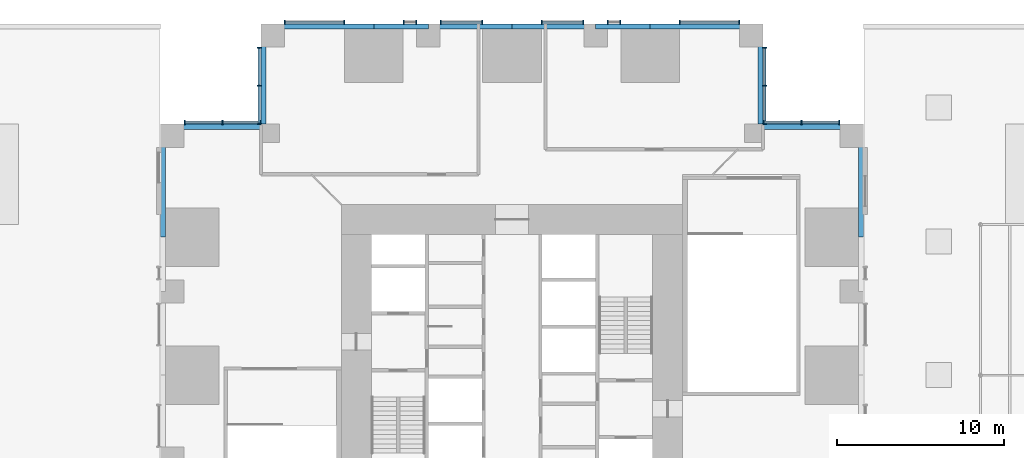
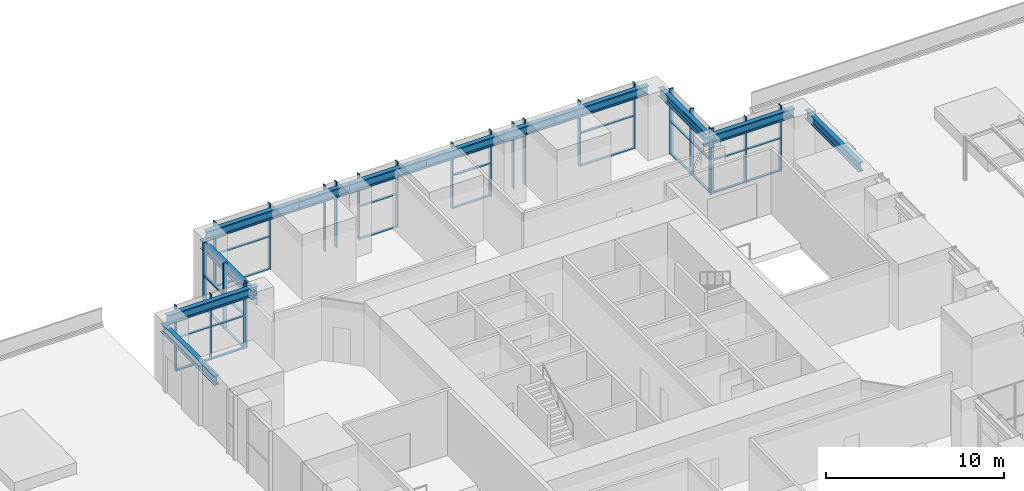
# One storey, part 5 of 14: 48 members, 12 beams, 10 elements without a shape of their own.
"""IFC4 building model written with IfcOpenShell, lengths in metres."""

from ifc_helpers import new_model, si_unit, direction, frame, origin, origin_2d, place, context, subcontext, project, spatial, rectangle, i_section, extrude, material, material_profile, profile_set, type_object, element, aggregate, save


model = new_model("IFC4")

# Units and contexts
model_context = context("Model", 3, precision=1e-05, world=origin(), true_north=direction((0.0, 1.0)))
body_context = subcontext(model_context, "Body", "Model", "MODEL_VIEW")
ifc_project = project(units=[si_unit("LENGTHUNIT", "METRE"), si_unit("AREAUNIT", "SQUARE_METRE"), si_unit("VOLUMEUNIT", "CUBIC_METRE"), si_unit("PLANEANGLEUNIT", "RADIAN"), si_unit("MASSUNIT", "GRAM", prefix="KILO")], contexts=[model_context])

# Site, building, storey
site_placement = place(None, origin())
site = spatial("IfcSite", under=ifc_project, at=site_placement, CompositionType="ELEMENT")
building_placement = place(site_placement, origin())
building = spatial("IfcBuilding", under=site, at=building_placement, Name="Svetlomir Tower", CompositionType="ELEMENT")
storey_placement = place(building_placement, frame((0.0, 0.0, 18.0)))
storey = spatial("IfcBuildingStorey", under=building, at=storey_placement, Name="L03", CompositionType="ELEMENT", Elevation=18.0)

# Curtain wall, members
ifc_material_1 = material(Name="Bronze anodised aluminium curtain wall", Category="aluminium")
curtain_wall_type = type_object("IfcCurtainWallType", Name="CURTAIN WALL CW2 SKY LOBBY", PredefinedType="NOTDEFINED", material=ifc_material_1)
curtain_wall_1_placement = place(storey_placement, origin())
curtain_wall_1 = element("IfcCurtainWall", 1, at=curtain_wall_1_placement, inside=storey, type_object=curtain_wall_type, Name="Curtain wall CW2 L03", PredefinedType="NOTDEFINED")
ifc_material_2 = material(Name="Bronze anodised aluminium", Category="aluminium")
ifc_material_profile_1 = material_profile(ifc_material_2, rectangle(XDim=0.06494140625, YDim=0.25, at=origin_2d()), Name="AL 65x250")
ifc_profile_set_1 = profile_set([ifc_material_profile_1], Name="Bronze anodised aluminium 6063-T6")
member_type_1 = type_object("IfcMemberType", Name="CW2 MULLION 65x250", PredefinedType="MULLION", material=ifc_profile_set_1)
member_1_placement = place(storey_placement, frame((40.5673828125, 36.10009765625, 0.0), z_axis=(0.0, 0.0, 1.0), x_axis=(-1.0, 0.0, 0.0)))
member_1 = element("IfcMember", 2, at=member_1_placement, type_object=member_type_1, Name="CW2 mullion 1", PredefinedType="MULLION", context=body_context, shape_type="SweptSolid", body=[
    extrude(rectangle(XDim=0.06494140625, YDim=0.25, at=origin_2d()), origin(), (0.0, 0.0, 1.0), 4.5),
])
member_2_placement = place(storey_placement, frame((38.300048828125, 36.10009765625, 0.0), z_axis=(0.0, 0.0, 1.0), x_axis=(-1.0, 0.0, 0.0)))
member_2 = element("IfcMember", 3, at=member_2_placement, type_object=member_type_1, Name="CW2 mullion 2", PredefinedType="MULLION", context=body_context, shape_type="SweptSolid", body=[
    extrude(rectangle(XDim=0.06494140625, YDim=0.25, at=origin_2d()), origin(), (0.0, 0.0, 1.0), 4.5),
])
member_3_placement = place(storey_placement, frame((36.032470703125, 36.10009765625, 0.0), z_axis=(0.0, 0.0, 1.0), x_axis=(-1.0, 0.0, 0.0)))
member_3 = element("IfcMember", 4, at=member_3_placement, type_object=member_type_1, Name="CW2 mullion 3", PredefinedType="MULLION", context=body_context, shape_type="SweptSolid", body=[
    extrude(rectangle(XDim=0.06494140625, YDim=0.25, at=origin_2d()), origin(), (0.0, 0.0, 1.0), 4.5),
])

curtain_wall_2_placement = place(storey_placement, origin())
curtain_wall_2 = element("IfcCurtainWall", 5, at=curtain_wall_2_placement, inside=storey, type_object=curtain_wall_type, Name="Curtain wall CW2 L03", PredefinedType="NOTDEFINED")
member_4_placement = place(storey_placement, frame((36.10009765625, 36.032470703125, 0.0), z_axis=(0.0, 0.0, 1.0), x_axis=(0.0, 1.0, 0.0)))
member_4 = element("IfcMember", 6, at=member_4_placement, type_object=member_type_1, Name="CW2 mullion 1", PredefinedType="MULLION", context=body_context, shape_type="SweptSolid", body=[
    extrude(rectangle(XDim=0.06494140625, YDim=0.25, at=origin_2d()), origin(), (0.0, 0.0, 1.0), 4.5),
])
member_5_placement = place(storey_placement, frame((36.10009765625, 38.300048828125, 0.0), z_axis=(0.0, 0.0, 1.0), x_axis=(0.0, 1.0, 0.0)))
member_5 = element("IfcMember", 7, at=member_5_placement, type_object=member_type_1, Name="CW2 mullion 2", PredefinedType="MULLION", context=body_context, shape_type="SweptSolid", body=[
    extrude(rectangle(XDim=0.06494140625, YDim=0.25, at=origin_2d()), origin(), (0.0, 0.0, 1.0), 4.5),
])
member_6_placement = place(storey_placement, frame((36.10009765625, 40.5673828125, 0.0), z_axis=(0.0, 0.0, 1.0), x_axis=(0.0, 1.0, 0.0)))
member_6 = element("IfcMember", 8, at=member_6_placement, type_object=member_type_1, Name="CW2 mullion 3", PredefinedType="MULLION", context=body_context, shape_type="SweptSolid", body=[
    extrude(rectangle(XDim=0.06494140625, YDim=0.25, at=origin_2d()), origin(), (0.0, 0.0, 1.0), 4.5),
])

curtain_wall_3_placement = place(storey_placement, origin())
curtain_wall_3 = element("IfcCurtainWall", 9, at=curtain_wall_3_placement, inside=storey, type_object=curtain_wall_type, Name="Curtain wall CW2 L03", PredefinedType="NOTDEFINED")
member_7_placement = place(storey_placement, frame((34.5673828125, 42.10009765625, 0.0), z_axis=(0.0, 0.0, 1.0), x_axis=(-1.0, 0.0, 0.0)))
member_7 = element("IfcMember", 10, at=member_7_placement, type_object=member_type_1, Name="CW2 mullion 1", PredefinedType="MULLION", context=body_context, shape_type="SweptSolid", body=[
    extrude(rectangle(XDim=0.06494140625, YDim=0.25, at=origin_2d()), origin(), (0.0, 0.0, 1.0), 4.5),
])
member_8_placement = place(storey_placement, frame((31.032470703125, 42.10009765625, 0.0), z_axis=(0.0, 0.0, 1.0), x_axis=(-1.0, 0.0, 0.0)))
member_8 = element("IfcMember", 11, at=member_8_placement, type_object=member_type_1, Name="CW2 mullion 2", PredefinedType="MULLION", context=body_context, shape_type="SweptSolid", body=[
    extrude(rectangle(XDim=0.06494140625, YDim=0.25, at=origin_2d()), origin(), (0.0, 0.0, 1.0), 4.5),
])

curtain_wall_4_placement = place(storey_placement, origin())
curtain_wall_4 = element("IfcCurtainWall", 12, at=curtain_wall_4_placement, inside=storey, type_object=curtain_wall_type, Name="Curtain wall CW2 L03", PredefinedType="NOTDEFINED")
member_9_placement = place(storey_placement, frame((27.467529296875, 42.10009765625, 0.0), z_axis=(0.0, 0.0, 1.0), x_axis=(-1.0, 0.0, 0.0)))
member_9 = element("IfcMember", 13, at=member_9_placement, type_object=member_type_1, Name="CW2 mullion 1", PredefinedType="MULLION", context=body_context, shape_type="SweptSolid", body=[
    extrude(rectangle(XDim=0.06494140625, YDim=0.25, at=origin_2d()), origin(), (0.0, 0.0, 1.0), 4.5),
])
member_10_placement = place(storey_placement, frame((26.732421875, 42.10009765625, 0.0), z_axis=(0.0, 0.0, 1.0), x_axis=(-1.0, 0.0, 0.0)))
member_10 = element("IfcMember", 14, at=member_10_placement, type_object=member_type_1, Name="CW2 mullion 2", PredefinedType="MULLION", context=body_context, shape_type="SweptSolid", body=[
    extrude(rectangle(XDim=0.06494140625, YDim=0.25, at=origin_2d()), origin(), (0.0, 0.0, 1.0), 4.5),
])
aggregate(curtain_wall_4, [member_9, member_10])

curtain_wall_5_placement = place(storey_placement, origin())
curtain_wall_5 = element("IfcCurtainWall", 15, at=curtain_wall_5_placement, inside=storey, type_object=curtain_wall_type, Name="Curtain wall CW2 L03", PredefinedType="NOTDEFINED")
member_11_placement = place(storey_placement, frame((25.267578125, 42.10009765625, 0.0), z_axis=(0.0, 0.0, 1.0), x_axis=(-1.0, 0.0, 0.0)))
member_11 = element("IfcMember", 16, at=member_11_placement, type_object=member_type_1, Name="CW2 mullion 1", PredefinedType="MULLION", context=body_context, shape_type="SweptSolid", body=[
    extrude(rectangle(XDim=0.06494140625, YDim=0.25, at=origin_2d()), origin(), (0.0, 0.0, 1.0), 4.5),
])
member_12_placement = place(storey_placement, frame((22.782470703125, 42.10009765625, 0.0), z_axis=(0.0, 0.0, 1.0), x_axis=(-1.0, 0.0, 0.0)))
member_12 = element("IfcMember", 17, at=member_12_placement, type_object=member_type_1, Name="CW2 mullion 2", PredefinedType="MULLION", context=body_context, shape_type="SweptSolid", body=[
    extrude(rectangle(XDim=0.06494140625, YDim=0.25, at=origin_2d()), origin(), (0.0, 0.0, 1.0), 4.5),
])

curtain_wall_6_placement = place(storey_placement, origin())
curtain_wall_6 = element("IfcCurtainWall", 18, at=curtain_wall_6_placement, inside=storey, type_object=curtain_wall_type, Name="Curtain wall CW2 L03", PredefinedType="NOTDEFINED")
member_13_placement = place(storey_placement, frame((19.217529296875, 42.10009765625, 0.0), z_axis=(0.0, 0.0, 1.0), x_axis=(-1.0, 0.0, 0.0)))
member_13 = element("IfcMember", 19, at=member_13_placement, type_object=member_type_1, Name="CW2 mullion 1", PredefinedType="MULLION", context=body_context, shape_type="SweptSolid", body=[
    extrude(rectangle(XDim=0.06494140625, YDim=0.25, at=origin_2d()), origin(), (0.0, 0.0, 1.0), 4.5),
])
member_14_placement = place(storey_placement, frame((16.732421875, 42.10009765625, 0.0), z_axis=(0.0, 0.0, 1.0), x_axis=(-1.0, 0.0, 0.0)))
member_14 = element("IfcMember", 20, at=member_14_placement, type_object=member_type_1, Name="CW2 mullion 2", PredefinedType="MULLION", context=body_context, shape_type="SweptSolid", body=[
    extrude(rectangle(XDim=0.06494140625, YDim=0.25, at=origin_2d()), origin(), (0.0, 0.0, 1.0), 4.5),
])

curtain_wall_7_placement = place(storey_placement, origin())
curtain_wall_7 = element("IfcCurtainWall", 21, at=curtain_wall_7_placement, inside=storey, type_object=curtain_wall_type, Name="Curtain wall CW2 L03", PredefinedType="NOTDEFINED")
member_15_placement = place(storey_placement, frame((15.267578125, 42.10009765625, 0.0), z_axis=(0.0, 0.0, 1.0), x_axis=(-1.0, 0.0, 0.0)))
member_15 = element("IfcMember", 22, at=member_15_placement, type_object=member_type_1, Name="CW2 mullion 1", PredefinedType="MULLION", context=body_context, shape_type="SweptSolid", body=[
    extrude(rectangle(XDim=0.06494140625, YDim=0.25, at=origin_2d()), origin(), (0.0, 0.0, 1.0), 4.5),
])
member_16_placement = place(storey_placement, frame((14.532470703125, 42.10009765625, 0.0), z_axis=(0.0, 0.0, 1.0), x_axis=(-1.0, 0.0, 0.0)))
member_16 = element("IfcMember", 23, at=member_16_placement, type_object=member_type_1, Name="CW2 mullion 2", PredefinedType="MULLION", context=body_context, shape_type="SweptSolid", body=[
    extrude(rectangle(XDim=0.06494140625, YDim=0.25, at=origin_2d()), origin(), (0.0, 0.0, 1.0), 4.5),
])
aggregate(curtain_wall_7, [member_15, member_16])

curtain_wall_8_placement = place(storey_placement, origin())
curtain_wall_8 = element("IfcCurtainWall", 24, at=curtain_wall_8_placement, inside=storey, type_object=curtain_wall_type, Name="Curtain wall CW2 L03", PredefinedType="NOTDEFINED")
member_17_placement = place(storey_placement, frame((10.967529296875, 42.10009765625, 0.0), z_axis=(0.0, 0.0, 1.0), x_axis=(-1.0, 0.0, 0.0)))
member_17 = element("IfcMember", 25, at=member_17_placement, type_object=member_type_1, Name="CW2 mullion 1", PredefinedType="MULLION", context=body_context, shape_type="SweptSolid", body=[
    extrude(rectangle(XDim=0.06494140625, YDim=0.25, at=origin_2d()), origin(), (0.0, 0.0, 1.0), 4.5),
])
member_18_placement = place(storey_placement, frame((7.4326171875, 42.10009765625, 0.0), z_axis=(0.0, 0.0, 1.0), x_axis=(-1.0, 0.0, 0.0)))
member_18 = element("IfcMember", 26, at=member_18_placement, type_object=member_type_1, Name="CW2 mullion 2", PredefinedType="MULLION", context=body_context, shape_type="SweptSolid", body=[
    extrude(rectangle(XDim=0.06494140625, YDim=0.25, at=origin_2d()), origin(), (0.0, 0.0, 1.0), 4.5),
])

curtain_wall_9_placement = place(storey_placement, origin())
curtain_wall_9 = element("IfcCurtainWall", 27, at=curtain_wall_9_placement, inside=storey, type_object=curtain_wall_type, Name="Curtain wall CW2 L03", PredefinedType="NOTDEFINED")
member_19_placement = place(storey_placement, frame((5.89990234375, 40.5673828125, 0.0), z_axis=(0.0, 0.0, 1.0), x_axis=(0.0, -1.0, 0.0)))
member_19 = element("IfcMember", 28, at=member_19_placement, type_object=member_type_1, Name="CW2 mullion 1", PredefinedType="MULLION", context=body_context, shape_type="SweptSolid", body=[
    extrude(rectangle(XDim=0.06494140625, YDim=0.25, at=origin_2d()), origin(), (0.0, 0.0, 1.0), 4.5),
])
member_20_placement = place(storey_placement, frame((5.89990234375, 38.300048828125, 0.0), z_axis=(0.0, 0.0, 1.0), x_axis=(0.0, -1.0, 0.0)))
member_20 = element("IfcMember", 29, at=member_20_placement, type_object=member_type_1, Name="CW2 mullion 2", PredefinedType="MULLION", context=body_context, shape_type="SweptSolid", body=[
    extrude(rectangle(XDim=0.06494140625, YDim=0.25, at=origin_2d()), origin(), (0.0, 0.0, 1.0), 4.5),
])
member_21_placement = place(storey_placement, frame((5.89990234375, 36.032470703125, 0.0), z_axis=(0.0, 0.0, 1.0), x_axis=(0.0, -1.0, 0.0)))
member_21 = element("IfcMember", 30, at=member_21_placement, type_object=member_type_1, Name="CW2 mullion 3", PredefinedType="MULLION", context=body_context, shape_type="SweptSolid", body=[
    extrude(rectangle(XDim=0.06494140625, YDim=0.25, at=origin_2d()), origin(), (0.0, 0.0, 1.0), 4.5),
])

curtain_wall_10_placement = place(storey_placement, origin())
curtain_wall_10 = element("IfcCurtainWall", 31, at=curtain_wall_10_placement, inside=storey, type_object=curtain_wall_type, Name="Curtain wall CW2 L03", PredefinedType="NOTDEFINED")
member_22_placement = place(storey_placement, frame((5.967529296875, 36.10009765625, 0.0), z_axis=(0.0, 0.0, 1.0), x_axis=(-1.0, 0.0, 0.0)))
member_22 = element("IfcMember", 32, at=member_22_placement, type_object=member_type_1, Name="CW2 mullion 1", PredefinedType="MULLION", context=body_context, shape_type="SweptSolid", body=[
    extrude(rectangle(XDim=0.06494140625, YDim=0.25, at=origin_2d()), origin(), (0.0, 0.0, 1.0), 4.5),
])
member_23_placement = place(storey_placement, frame((3.699951171875, 36.10009765625, 0.0), z_axis=(0.0, 0.0, 1.0), x_axis=(-1.0, 0.0, 0.0)))
member_23 = element("IfcMember", 33, at=member_23_placement, type_object=member_type_1, Name="CW2 mullion 2", PredefinedType="MULLION", context=body_context, shape_type="SweptSolid", body=[
    extrude(rectangle(XDim=0.06494140625, YDim=0.25, at=origin_2d()), origin(), (0.0, 0.0, 1.0), 4.5),
])
member_24_placement = place(storey_placement, frame((1.4326171875, 36.10009765625, 0.0), z_axis=(0.0, 0.0, 1.0), x_axis=(-1.0, 0.0, 0.0)))
member_24 = element("IfcMember", 34, at=member_24_placement, type_object=member_type_1, Name="CW2 mullion 3", PredefinedType="MULLION", context=body_context, shape_type="SweptSolid", body=[
    extrude(rectangle(XDim=0.06494140625, YDim=0.25, at=origin_2d()), origin(), (0.0, 0.0, 1.0), 4.5),
])

# Member
ifc_material_3 = material(Name="Bronze anodised aluminium", Category="aluminium")
ifc_material_profile_2 = material_profile(ifc_material_3, rectangle(XDim=0.159912109375, YDim=0.06494140625, at=origin_2d()), Name="AL 160x65")
ifc_profile_set_2 = profile_set([ifc_material_profile_2], Name="Bronze anodised aluminium 6063-T6")
member_type_2 = type_object("IfcMemberType", Name="CW2 TRANSOM 65x160", PredefinedType="USERDEFINED", material=ifc_profile_set_2)
member_25_placement = place(storey_placement, frame((40.534912109375, 36.10009765625, 0.032470703125), z_axis=(-1.0, 0.0, 0.0), x_axis=(0.0, -1.0, 0.0)))
member_25 = element("IfcMember", 35, at=member_25_placement, type_object=member_type_2, Name="CW2 transom 1.1", ObjectType="TRANSOM", PredefinedType="USERDEFINED", context=body_context, shape_type="SweptSolid", body=[
    extrude(rectangle(XDim=0.159912109375, YDim=0.06494140625, at=origin_2d()), origin(), (0.0, 0.0, 1.0), 2.202392578125),
])

member_26_placement = place(storey_placement, frame((40.534912109375, 36.10009765625, 2.25), z_axis=(-1.0, 0.0, 0.0), x_axis=(0.0, -1.0, 0.0)))
member_26 = element("IfcMember", 36, at=member_26_placement, type_object=member_type_2, Name="CW2 transom 1.2", ObjectType="TRANSOM", PredefinedType="USERDEFINED", context=body_context, shape_type="SweptSolid", body=[
    extrude(rectangle(XDim=0.159912109375, YDim=0.06494140625, at=origin_2d()), origin(), (0.0, 0.0, 1.0), 2.202392578125),
])

member_27_placement = place(storey_placement, frame((38.267578125, 36.10009765625, 0.032470703125), z_axis=(-1.0, 0.0, 0.0), x_axis=(0.0, -1.0, 0.0)))
member_27 = element("IfcMember", 37, at=member_27_placement, type_object=member_type_2, Name="CW2 transom 2.1", ObjectType="TRANSOM", PredefinedType="USERDEFINED", context=body_context, shape_type="SweptSolid", body=[
    extrude(rectangle(XDim=0.159912109375, YDim=0.06494140625, at=origin_2d()), origin(), (0.0, 0.0, 1.0), 2.20263671875),
])

member_28_placement = place(storey_placement, frame((38.267578125, 36.10009765625, 2.25), z_axis=(-1.0, 0.0, 0.0), x_axis=(0.0, -1.0, 0.0)))
member_28 = element("IfcMember", 38, at=member_28_placement, type_object=member_type_2, Name="CW2 transom 2.2", ObjectType="TRANSOM", PredefinedType="USERDEFINED", context=body_context, shape_type="SweptSolid", body=[
    extrude(rectangle(XDim=0.159912109375, YDim=0.06494140625, at=origin_2d()), origin(), (0.0, 0.0, 1.0), 2.20263671875),
])

aggregate(curtain_wall_1, [member_1, member_2, member_3, member_25, member_26, member_27, member_28])

member_29_placement = place(storey_placement, frame((36.10009765625, 36.06494140625, 0.032470703125), z_axis=(0.0, 1.0, 0.0), x_axis=(-1.0, 0.0, 0.0)))
member_29 = element("IfcMember", 39, at=member_29_placement, type_object=member_type_2, Name="CW2 transom 1.1", ObjectType="TRANSOM", PredefinedType="USERDEFINED", context=body_context, shape_type="SweptSolid", body=[
    extrude(rectangle(XDim=0.159912109375, YDim=0.06494140625, at=origin_2d()), origin(), (0.0, 0.0, 1.0), 2.20263671875),
])

member_30_placement = place(storey_placement, frame((36.10009765625, 36.06494140625, 2.25), z_axis=(0.0, 1.0, 0.0), x_axis=(-1.0, 0.0, 0.0)))
member_30 = element("IfcMember", 40, at=member_30_placement, type_object=member_type_2, Name="CW2 transom 1.2", ObjectType="TRANSOM", PredefinedType="USERDEFINED", context=body_context, shape_type="SweptSolid", body=[
    extrude(rectangle(XDim=0.159912109375, YDim=0.06494140625, at=origin_2d()), origin(), (0.0, 0.0, 1.0), 2.20263671875),
])

member_31_placement = place(storey_placement, frame((36.10009765625, 38.33251953125, 0.032470703125), z_axis=(0.0, 1.0, 0.0), x_axis=(-1.0, 0.0, 0.0)))
member_31 = element("IfcMember", 41, at=member_31_placement, type_object=member_type_2, Name="CW2 transom 2.1", ObjectType="TRANSOM", PredefinedType="USERDEFINED", context=body_context, shape_type="SweptSolid", body=[
    extrude(rectangle(XDim=0.159912109375, YDim=0.06494140625, at=origin_2d()), origin(), (0.0, 0.0, 1.0), 2.202392578125),
])

member_32_placement = place(storey_placement, frame((36.10009765625, 38.33251953125, 2.25), z_axis=(0.0, 1.0, 0.0), x_axis=(-1.0, 0.0, 0.0)))
member_32 = element("IfcMember", 42, at=member_32_placement, type_object=member_type_2, Name="CW2 transom 2.2", ObjectType="TRANSOM", PredefinedType="USERDEFINED", context=body_context, shape_type="SweptSolid", body=[
    extrude(rectangle(XDim=0.159912109375, YDim=0.06494140625, at=origin_2d()), origin(), (0.0, 0.0, 1.0), 2.202392578125),
])

aggregate(curtain_wall_2, [member_4, member_5, member_6, member_29, member_30, member_31, member_32])

member_33_placement = place(storey_placement, frame((34.534912109375, 42.10009765625, 0.032470703125), z_axis=(-1.0, 0.0, 0.0), x_axis=(0.0, -1.0, 0.0)))
member_33 = element("IfcMember", 43, at=member_33_placement, type_object=member_type_2, Name="CW2 transom 1.1", ObjectType="TRANSOM", PredefinedType="USERDEFINED", context=body_context, shape_type="SweptSolid", body=[
    extrude(rectangle(XDim=0.159912109375, YDim=0.06494140625, at=origin_2d()), origin(), (0.0, 0.0, 1.0), 3.469970703125),
])

member_34_placement = place(storey_placement, frame((34.534912109375, 42.10009765625, 2.25), z_axis=(-1.0, 0.0, 0.0), x_axis=(0.0, -1.0, 0.0)))
member_34 = element("IfcMember", 44, at=member_34_placement, type_object=member_type_2, Name="CW2 transom 1.2", ObjectType="TRANSOM", PredefinedType="USERDEFINED", context=body_context, shape_type="SweptSolid", body=[
    extrude(rectangle(XDim=0.159912109375, YDim=0.06494140625, at=origin_2d()), origin(), (0.0, 0.0, 1.0), 3.469970703125),
])

aggregate(curtain_wall_3, [member_7, member_8, member_33, member_34])

member_35_placement = place(storey_placement, frame((25.235107421875, 42.10009765625, 0.032470703125), z_axis=(-1.0, 0.0, 0.0), x_axis=(0.0, -1.0, 0.0)))
member_35 = element("IfcMember", 45, at=member_35_placement, type_object=member_type_2, Name="CW2 transom 1.1", ObjectType="TRANSOM", PredefinedType="USERDEFINED", context=body_context, shape_type="SweptSolid", body=[
    extrude(rectangle(XDim=0.159912109375, YDim=0.06494140625, at=origin_2d()), origin(), (0.0, 0.0, 1.0), 2.420166015625),
])

member_36_placement = place(storey_placement, frame((25.235107421875, 42.10009765625, 2.25), z_axis=(-1.0, 0.0, 0.0), x_axis=(0.0, -1.0, 0.0)))
member_36 = element("IfcMember", 46, at=member_36_placement, type_object=member_type_2, Name="CW2 transom 1.2", ObjectType="TRANSOM", PredefinedType="USERDEFINED", context=body_context, shape_type="SweptSolid", body=[
    extrude(rectangle(XDim=0.159912109375, YDim=0.06494140625, at=origin_2d()), origin(), (0.0, 0.0, 1.0), 2.420166015625),
])

aggregate(curtain_wall_5, [member_11, member_12, member_35, member_36])

member_37_placement = place(storey_placement, frame((19.18505859375, 42.10009765625, 0.032470703125), z_axis=(-1.0, 0.0, 0.0), x_axis=(0.0, -1.0, 0.0)))
member_37 = element("IfcMember", 47, at=member_37_placement, type_object=member_type_2, Name="CW2 transom 1.1", ObjectType="TRANSOM", PredefinedType="USERDEFINED", context=body_context, shape_type="SweptSolid", body=[
    extrude(rectangle(XDim=0.159912109375, YDim=0.06494140625, at=origin_2d()), origin(), (0.0, 0.0, 1.0), 2.420166015625),
])

member_38_placement = place(storey_placement, frame((19.18505859375, 42.10009765625, 2.25), z_axis=(-1.0, 0.0, 0.0), x_axis=(0.0, -1.0, 0.0)))
member_38 = element("IfcMember", 48, at=member_38_placement, type_object=member_type_2, Name="CW2 transom 1.2", ObjectType="TRANSOM", PredefinedType="USERDEFINED", context=body_context, shape_type="SweptSolid", body=[
    extrude(rectangle(XDim=0.159912109375, YDim=0.06494140625, at=origin_2d()), origin(), (0.0, 0.0, 1.0), 2.420166015625),
])

aggregate(curtain_wall_6, [member_13, member_14, member_37, member_38])

member_39_placement = place(storey_placement, frame((10.93505859375, 42.10009765625, 0.032470703125), z_axis=(-1.0, 0.0, 0.0), x_axis=(0.0, -1.0, 0.0)))
member_39 = element("IfcMember", 49, at=member_39_placement, type_object=member_type_2, Name="CW2 transom 1.1", ObjectType="TRANSOM", PredefinedType="USERDEFINED", context=body_context, shape_type="SweptSolid", body=[
    extrude(rectangle(XDim=0.159912109375, YDim=0.06494140625, at=origin_2d()), origin(), (0.0, 0.0, 1.0), 3.469970703125),
])

member_40_placement = place(storey_placement, frame((10.93505859375, 42.10009765625, 2.25), z_axis=(-1.0, 0.0, 0.0), x_axis=(0.0, -1.0, 0.0)))
member_40 = element("IfcMember", 50, at=member_40_placement, type_object=member_type_2, Name="CW2 transom 1.2", ObjectType="TRANSOM", PredefinedType="USERDEFINED", context=body_context, shape_type="SweptSolid", body=[
    extrude(rectangle(XDim=0.159912109375, YDim=0.06494140625, at=origin_2d()), origin(), (0.0, 0.0, 1.0), 3.469970703125),
])

aggregate(curtain_wall_8, [member_17, member_18, member_39, member_40])

member_41_placement = place(storey_placement, frame((5.89990234375, 40.534912109375, 0.032470703125), z_axis=(0.0, -1.0, 0.0), x_axis=(1.0, 0.0, 0.0)))
member_41 = element("IfcMember", 51, at=member_41_placement, type_object=member_type_2, Name="CW2 transom 1.1", ObjectType="TRANSOM", PredefinedType="USERDEFINED", context=body_context, shape_type="SweptSolid", body=[
    extrude(rectangle(XDim=0.159912109375, YDim=0.06494140625, at=origin_2d()), origin(), (0.0, 0.0, 1.0), 2.202392578125),
])

member_42_placement = place(storey_placement, frame((5.89990234375, 40.534912109375, 2.25), z_axis=(0.0, -1.0, 0.0), x_axis=(1.0, 0.0, 0.0)))
member_42 = element("IfcMember", 52, at=member_42_placement, type_object=member_type_2, Name="CW2 transom 1.2", ObjectType="TRANSOM", PredefinedType="USERDEFINED", context=body_context, shape_type="SweptSolid", body=[
    extrude(rectangle(XDim=0.159912109375, YDim=0.06494140625, at=origin_2d()), origin(), (0.0, 0.0, 1.0), 2.202392578125),
])

member_43_placement = place(storey_placement, frame((5.89990234375, 38.267578125, 0.032470703125), z_axis=(0.0, -1.0, 0.0), x_axis=(1.0, 0.0, 0.0)))
member_43 = element("IfcMember", 53, at=member_43_placement, type_object=member_type_2, Name="CW2 transom 2.1", ObjectType="TRANSOM", PredefinedType="USERDEFINED", context=body_context, shape_type="SweptSolid", body=[
    extrude(rectangle(XDim=0.159912109375, YDim=0.06494140625, at=origin_2d()), origin(), (0.0, 0.0, 1.0), 2.20263671875),
])

member_44_placement = place(storey_placement, frame((5.89990234375, 38.267578125, 2.25), z_axis=(0.0, -1.0, 0.0), x_axis=(1.0, 0.0, 0.0)))
member_44 = element("IfcMember", 54, at=member_44_placement, type_object=member_type_2, Name="CW2 transom 2.2", ObjectType="TRANSOM", PredefinedType="USERDEFINED", context=body_context, shape_type="SweptSolid", body=[
    extrude(rectangle(XDim=0.159912109375, YDim=0.06494140625, at=origin_2d()), origin(), (0.0, 0.0, 1.0), 2.20263671875),
])

aggregate(curtain_wall_9, [member_19, member_20, member_21, member_41, member_42, member_43, member_44])

member_45_placement = place(storey_placement, frame((5.93505859375, 36.10009765625, 0.032470703125), z_axis=(-1.0, 0.0, 0.0), x_axis=(0.0, -1.0, 0.0)))
member_45 = element("IfcMember", 55, at=member_45_placement, type_object=member_type_2, Name="CW2 transom 1.1", ObjectType="TRANSOM", PredefinedType="USERDEFINED", context=body_context, shape_type="SweptSolid", body=[
    extrude(rectangle(XDim=0.159912109375, YDim=0.06494140625, at=origin_2d()), origin(), (0.0, 0.0, 1.0), 2.20263671875),
])

member_46_placement = place(storey_placement, frame((5.93505859375, 36.10009765625, 2.25), z_axis=(-1.0, 0.0, 0.0), x_axis=(0.0, -1.0, 0.0)))
member_46 = element("IfcMember", 56, at=member_46_placement, type_object=member_type_2, Name="CW2 transom 1.2", ObjectType="TRANSOM", PredefinedType="USERDEFINED", context=body_context, shape_type="SweptSolid", body=[
    extrude(rectangle(XDim=0.159912109375, YDim=0.06494140625, at=origin_2d()), origin(), (0.0, 0.0, 1.0), 2.20263671875),
])

member_47_placement = place(storey_placement, frame((3.66748046875, 36.10009765625, 0.032470703125), z_axis=(-1.0, 0.0, 0.0), x_axis=(0.0, -1.0, 0.0)))
member_47 = element("IfcMember", 57, at=member_47_placement, type_object=member_type_2, Name="CW2 transom 2.1", ObjectType="TRANSOM", PredefinedType="USERDEFINED", context=body_context, shape_type="SweptSolid", body=[
    extrude(rectangle(XDim=0.159912109375, YDim=0.06494140625, at=origin_2d()), origin(), (0.0, 0.0, 1.0), 2.202392578125),
])

member_48_placement = place(storey_placement, frame((3.66748046875, 36.10009765625, 2.25), z_axis=(-1.0, 0.0, 0.0), x_axis=(0.0, -1.0, 0.0)))
member_48 = element("IfcMember", 58, at=member_48_placement, type_object=member_type_2, Name="CW2 transom 2.2", ObjectType="TRANSOM", PredefinedType="USERDEFINED", context=body_context, shape_type="SweptSolid", body=[
    extrude(rectangle(XDim=0.159912109375, YDim=0.06494140625, at=origin_2d()), origin(), (0.0, 0.0, 1.0), 2.202392578125),
])

aggregate(curtain_wall_10, [member_22, member_23, member_24, member_45, member_46, member_47, member_48])

# Beams
ifc_material_4 = material(Name="Steel S355", Category="steel")
ifc_material_profile_3 = material_profile(ifc_material_4, i_section(OverallWidth=0.304931640625, OverallDepth=0.6201171875, WebThickness=0.02099609375, FlangeThickness=0.0400390625, FilletRadius=0.027099609375, at=origin_2d()), Name="HEM 600")
ifc_profile_set_3 = profile_set([ifc_material_profile_3], Name="Steel S355")
beam_type = type_object("IfcBeamType", Name="EDGE BEAM HEM 600", PredefinedType="SPANDREL", material=ifc_profile_set_3)
beam_1_placement = place(storey_placement, frame((6.699951171875, 41.847412109375, 3.93994140625), z_axis=(1.0, 0.0, 0.0), x_axis=(0.0, 1.0, 0.0)))
element("IfcBeam", 59, at=beam_1_placement, inside=storey, type_object=beam_type, Name="Edge beam 6/42 to 11/42 under L04", PredefinedType="SPANDREL", context=body_context, shape_type="SweptSolid", body=[
    extrude(i_section(OverallWidth=0.304931640625, OverallDepth=0.6201171875, WebThickness=0.02099609375, FlangeThickness=0.0400390625, FilletRadius=0.027099609375, at=origin_2d()), origin(), (0.0, 0.0, 1.0), 6.050048828125),
])
beam_2_placement = place(storey_placement, frame((12.75, 41.847412109375, 3.93994140625), z_axis=(1.0, 0.0, 0.0), x_axis=(0.0, 1.0, 0.0)))
element("IfcBeam", 60, at=beam_2_placement, inside=storey, type_object=beam_type, Name="Edge beam 11/42 to 16/42 under L04", PredefinedType="SPANDREL", context=body_context, shape_type="SweptSolid", body=[
    extrude(i_section(OverallWidth=0.304931640625, OverallDepth=0.6201171875, WebThickness=0.02099609375, FlangeThickness=0.0400390625, FilletRadius=0.027099609375, at=origin_2d()), origin(), (0.0, 0.0, 1.0), 3.25),
])
for number, where, z_axis, x_axis, name in (
    (61, (16.0, 41.847412109375, 3.93994140625), (1.0, 0.0, 0.0), (0.0, 1.0, 0.0), "Edge beam 16/42 to 21/42 under L04"),
    (62, (21.0, 41.847412109375, 3.93994140625), (1.0, 0.0, 0.0), (0.0, 1.0, 0.0), "Edge beam 21/42 to 26/42 under L04"),
):
    element("IfcBeam", number, at=place(storey_placement, frame(where, z_axis=z_axis, x_axis=x_axis)), inside=storey, type_object=beam_type, Name=name, PredefinedType="SPANDREL", context=body_context, shape_type="SweptSolid", body=[
        extrude(i_section(OverallWidth=0.304931640625, OverallDepth=0.6201171875, WebThickness=0.02099609375, FlangeThickness=0.0400390625, FilletRadius=0.027099609375, at=origin_2d()), origin(), (0.0, 0.0, 1.0), 5.0),
    ])
beam_3_placement = place(storey_placement, frame((26.0, 41.847412109375, 3.93994140625), z_axis=(1.0, 0.0, 0.0), x_axis=(0.0, 1.0, 0.0)))
element("IfcBeam", 63, at=beam_3_placement, inside=storey, type_object=beam_type, Name="Edge beam 26/42 to 31/42 under L04", PredefinedType="SPANDREL", context=body_context, shape_type="SweptSolid", body=[
    extrude(i_section(OverallWidth=0.304931640625, OverallDepth=0.6201171875, WebThickness=0.02099609375, FlangeThickness=0.0400390625, FilletRadius=0.027099609375, at=origin_2d()), origin(), (0.0, 0.0, 1.0), 3.25),
])
for number, where, z_axis, x_axis, name in (
    (64, (41.847412109375, 29.25, 3.93994140625), (0.0, 1.0, 0.0), (-1.0, 0.0, 0.0), "Edge beam 42/31 to 42/36 under L04"),
    (65, (29.25, 41.847412109375, 3.93994140625), (1.0, 0.0, 0.0), (0.0, 1.0, 0.0), "Edge beam 31/42 to 36/42 under L04"),
    (66, (0.152587890625, 29.25, 3.93994140625), (0.0, 1.0, 0.0), (-1.0, 0.0, 0.0), "Edge beam 0/31 to 0/36 under L04"),
):
    element("IfcBeam", number, at=place(storey_placement, frame(where, z_axis=z_axis, x_axis=x_axis)), inside=storey, type_object=beam_type, Name=name, PredefinedType="SPANDREL", context=body_context, shape_type="SweptSolid", body=[
        extrude(i_section(OverallWidth=0.304931640625, OverallDepth=0.6201171875, WebThickness=0.02099609375, FlangeThickness=0.0400390625, FilletRadius=0.027099609375, at=origin_2d()), origin(), (0.0, 0.0, 1.0), 6.050048828125),
    ])
for number, where, z_axis, x_axis, name in (
    (67, (35.847412109375, 41.300048828125, 3.93994140625), (0.0, -1.0, 0.0), (1.0, 0.0, 0.0), "Edge beam 36/42 to 36/36 under L04"),
    (68, (41.300048828125, 35.847412109375, 3.93994140625), (-1.0, 0.0, 0.0), (0.0, -1.0, 0.0), "Edge beam 42/36 to 36/36 under L04"),
    (69, (6.152587890625, 41.300048828125, 3.93994140625), (0.0, -1.0, 0.0), (1.0, 0.0, 0.0), "Edge beam 6/42 to 6/36 under L04"),
    (70, (0.699951171875, 35.847412109375, 3.93994140625), (1.0, 0.0, 0.0), (0.0, 1.0, 0.0), "Edge beam 0/36 to 6/36 under L04"),
):
    element("IfcBeam", number, at=place(storey_placement, frame(where, z_axis=z_axis, x_axis=x_axis)), inside=storey, type_object=beam_type, Name=name, PredefinedType="SPANDREL", context=body_context, shape_type="SweptSolid", body=[
        extrude(i_section(OverallWidth=0.304931640625, OverallDepth=0.6201171875, WebThickness=0.02099609375, FlangeThickness=0.0400390625, FilletRadius=0.027099609375, at=origin_2d()), origin(), (0.0, 0.0, 1.0), 5.85009765625),
    ])

save(model, "model.ifc")
